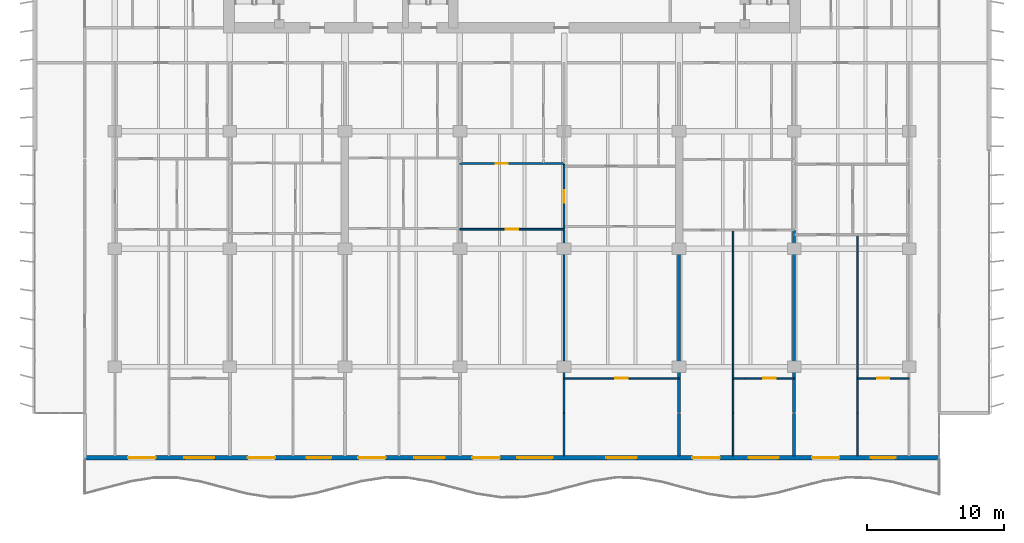
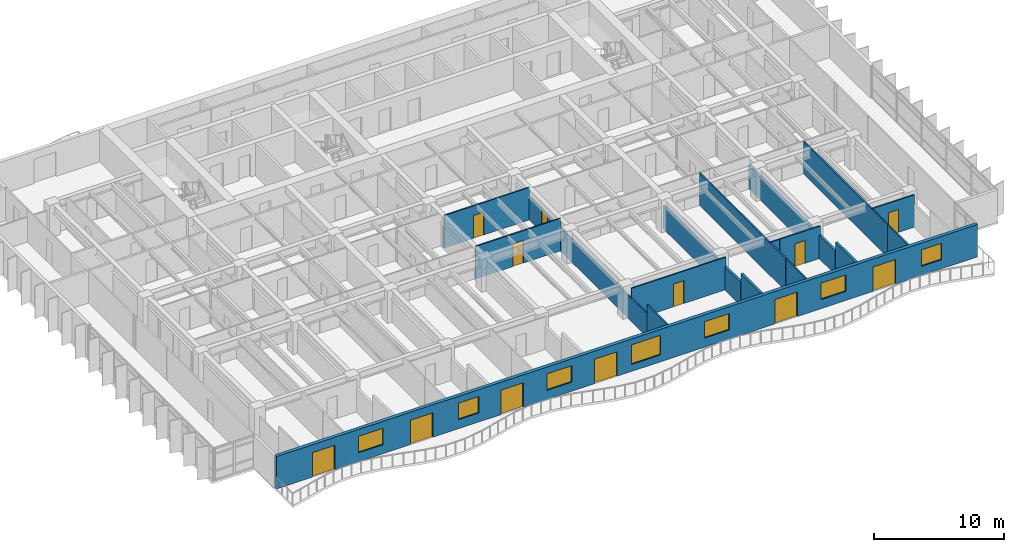
# One storey, part 8 of 17: 18 walls, 12 doors, 7 windows, 19 openings.
"""IFC4 building model written with IfcOpenShell, lengths in metres."""

import ifcopenshell
import ifcopenshell.guid

model = None  # the IFC model being written
_history = None  # IfcOwnerHistory: only IFC2X3 demands one
_inside = {}  # id of a spatial element -> (the spatial element, [elements in it])
_under = {}  # id of a project, library or spatial element -> (it, [spatial elements below it])
_declared = {}  # id of a project -> (the project, [libraries it declares])
_typed = {}  # id of a type object -> (the type object, [elements of that type])
_made_of = {}  # id of a material, layer set ... -> (it, [elements and type objects made of it])


def new_model(schema):
    """Start an empty IFC model of exactly this schema.

    Asked for "IFC4X3", IfcOpenShell would pick the latest addendum, in which some entities
    have other attributes; the version numbers below select the first issue.
    IFC2X3 requires an IfcOwnerHistory on every rooted entity: one is made here for all.
    """
    global model, _history
    if schema == "IFC4X3":
        model = ifcopenshell.file(schema_version=(4, 3, 0, 0))
    else:
        model = ifcopenshell.file(schema=schema)
    _inside.clear()
    _under.clear()
    _declared.clear()
    _typed.clear()
    _made_of.clear()
    _history = None
    if model.schema == "IFC2X3":
        org = make("IfcOrganization", Name="unknown")
        user = make(
            "IfcPersonAndOrganization",
            ThePerson=make("IfcPerson", FamilyName="unknown"),
            TheOrganization=org,
        )
        app = make(
            "IfcApplication",
            ApplicationDeveloper=org,
            Version="unknown",
            ApplicationFullName="unknown",
            ApplicationIdentifier="unknown",
        )
        _history = make(
            "IfcOwnerHistory",
            OwningUser=user,
            OwningApplication=app,
            ChangeAction="ADDED",
            CreationDate=0,
        )
    return model


def make(cls, **values):
    """One entity of the class cls with the attributes given. An attribute that is None is left unset."""
    return model.create_entity(
        cls, **{name: value for name, value in values.items() if value is not None}
    )


def rooted(cls, **values):
    """An entity with a GlobalId (a new one), such as an element, a storey or a relation."""
    return make(cls, GlobalId=ifcopenshell.guid.new(), OwnerHistory=_history, **values)


def si_unit(unit_type, name, prefix=None):
    """IfcSIUnit, for example si_unit("LENGTHUNIT", "METRE", prefix="MILLI")."""
    return make("IfcSIUnit", UnitType=unit_type, Prefix=prefix, Name=name)


def assignment(units):
    """IfcUnitAssignment: the units of a project."""
    return None if units is None else make("IfcUnitAssignment", Units=units)


def point(xyz):
    """IfcCartesianPoint."""
    return None if xyz is None else make("IfcCartesianPoint", Coordinates=xyz)


def direction(xyz):
    """IfcDirection."""
    return None if xyz is None else make("IfcDirection", DirectionRatios=xyz)


def frame(location, z_axis=None, x_axis=None):
    """IfcAxis2Placement3D, a coordinate frame: its origin and axes. An axis left out is left unset."""
    return make(
        "IfcAxis2Placement3D",
        Location=point(location),
        Axis=direction(z_axis),
        RefDirection=direction(x_axis),
    )


def frame_2d(location, x_axis=None):
    """IfcAxis2Placement2D, a coordinate frame in the plane: its origin and x axis."""
    return make(
        "IfcAxis2Placement2D", Location=point(location), RefDirection=direction(x_axis)
    )


def origin():
    """The frame at (0, 0, 0) with its axes left unset."""
    return frame((0.0, 0.0, 0.0))


def place(relative_to, where):
    """IfcLocalPlacement: puts the frame where relative to a parent placement (None: the world)."""
    return make(
        "IfcLocalPlacement", PlacementRelTo=relative_to, RelativePlacement=where
    )


def context(
    kind, dimensions, precision=None, world=None, true_north=None, identifier=None
):
    """IfcGeometricRepresentationContext, for example the 3D "Model" context."""
    return make(
        "IfcGeometricRepresentationContext",
        ContextIdentifier=identifier,
        ContextType=kind,
        CoordinateSpaceDimension=dimensions,
        Precision=precision,
        WorldCoordinateSystem=world,
        TrueNorth=true_north,
    )


def subcontext(parent, identifier, kind, view, scale=None):
    """IfcGeometricRepresentationSubContext, for example "Body" below "Model"."""
    return make(
        "IfcGeometricRepresentationSubContext",
        ContextIdentifier=identifier,
        ContextType=kind,
        ParentContext=parent,
        TargetScale=scale,
        TargetView=view,
    )


def project(units=None, contexts=None):
    """IfcProject with its units and contexts."""
    return rooted(
        "IfcProject",
        Name="project",
        RepresentationContexts=contexts,
        UnitsInContext=assignment(units),
    )


def spatial(cls, under=None, at=None, **own):
    """A site, building, storey or space (cls), placed at a placement, below another one or the project."""
    s = rooted(cls, ObjectPlacement=at, **own)
    if under is not None:
        _under.setdefault(under.id(), (under, []))[1].append(s)
    return s


def profile(cls, at=None, kind="AREA", **sizes):
    """A parametric profile (cls). Its sizes go by their IFC names, for example OverallWidth=200.0."""
    return make(cls, ProfileType=kind, Position=at, **sizes)


def rectangle(**sizes):
    """IfcRectangleProfileDef."""
    return profile("IfcRectangleProfileDef", **sizes)


def extrude(swept, where, along, depth):
    """IfcExtrudedAreaSolid: the profile swept, set in the frame where, extruded along a direction by depth."""
    return make(
        "IfcExtrudedAreaSolid",
        SweptArea=swept,
        Position=where,
        ExtrudedDirection=direction(along),
        Depth=depth,
    )


def shape(context_of_items, identifier, shape_type, items):
    """IfcShapeRepresentation: the items that make up one representation, for example the "Body"."""
    return make(
        "IfcShapeRepresentation",
        ContextOfItems=context_of_items,
        RepresentationIdentifier=identifier,
        RepresentationType=shape_type,
        Items=items,
    )


def material(Name=None, Category=None):
    """IfcMaterial."""
    return make("IfcMaterial", Name=Name, Category=Category)


def layer(
    of_material, thickness, ventilated=None, Name=None, Category=None, Priority=None
):
    """IfcMaterialLayer: one layer of a wall or slab, of a material (None: an air gap)."""
    return make(
        "IfcMaterialLayer",
        Material=of_material,
        LayerThickness=thickness,
        IsVentilated=ventilated,
        Name=Name,
        Category=Category,
        Priority=Priority,
    )


def layer_set(layers, Name=None):
    """IfcMaterialLayerSet."""
    return make("IfcMaterialLayerSet", MaterialLayers=layers, LayerSetName=Name)


def made_of(thing, what):
    """Note that an element or type object is made of a material, layer set ...; save() writes the relation."""
    if what is not None:
        _made_of.setdefault(what.id(), (what, []))[1].append(thing)
    return thing


def type_object(cls, material=None, **own):
    """A type object (cls), such as IfcWallType, which elements share."""
    return made_of(rooted(cls, **own), material)


def element(
    cls,
    number,
    at=None,
    inside=None,
    cuts=None,
    type_object=None,
    material=None,
    context=None,
    identifier="Body",
    shape_type=None,
    held_by="IfcProductDefinitionShape",
    body=None,
    shapes=None,
    **own,
):
    """One element of the class cls, such as IfcWall. Its Tag is "e" and its number.

    at: its placement. inside: the storey or other place that contains it. cuts: it is an
    opening in that element (IfcRelVoidsElement). A single representation is given by context,
    identifier, shape_type and body (its items); several are given by shapes. held_by: the class
    of the entity that holds the representations. save() writes the other relations.
    """
    e = rooted(cls, Tag="e%d" % number, ObjectPlacement=at, **own)
    if body is not None:
        shapes = [shape(context, identifier, shape_type, body)]
    if shapes is not None:
        e.Representation = make(held_by, Representations=shapes)
    if inside is not None:
        _inside.setdefault(inside.id(), (inside, []))[1].append(e)
    if cuts is not None:
        rooted(
            "IfcRelVoidsElement", RelatingBuildingElement=cuts, RelatedOpeningElement=e
        )
    if type_object is not None:
        _typed.setdefault(type_object.id(), (type_object, []))[1].append(e)
    return made_of(e, material)


def fill(opening, filler):
    """IfcRelFillsElement: the door or window that sits in an opening."""
    return rooted(
        "IfcRelFillsElement",
        RelatingOpeningElement=opening,
        RelatedBuildingElement=filler,
    )


def aggregate(whole, parts):
    """IfcRelAggregates: a whole, such as a stair, and the parts it consists of."""
    return rooted("IfcRelAggregates", RelatingObject=whole, RelatedObjects=parts)


def save(model, path):
    """Write the relations noted so far, then the file.

    IfcRelAggregates (storeys below a building ...), IfcRelContainedInSpatialStructure (elements
    in a storey), IfcRelDefinesByType, IfcRelAssociatesMaterial and IfcRelDeclares: one each for
    every whole, place, type object, material and project.
    """
    for whole, parts in _under.values():
        aggregate(whole, parts)
    for where, things in _inside.values():
        rooted(
            "IfcRelContainedInSpatialStructure",
            RelatedElements=things,
            RelatingStructure=where,
        )
    for kind, things in _typed.values():
        rooted("IfcRelDefinesByType", RelatedObjects=things, RelatingType=kind)
    for what, things in _made_of.values():
        rooted("IfcRelAssociatesMaterial", RelatedObjects=things, RelatingMaterial=what)
    for by, libraries in _declared.values():
        rooted("IfcRelDeclares", RelatingContext=by, RelatedDefinitions=libraries)
    model.write(path)


model = new_model("IFC4")

# Units and contexts
model_context = context("Model", 3, precision=1e-05, world=origin(), true_north=direction((0.0, 1.0)))
body_context = subcontext(model_context, "Body", "Model", "MODEL_VIEW")
ifc_project = project(units=[si_unit("LENGTHUNIT", "METRE"), si_unit("AREAUNIT", "SQUARE_METRE"), si_unit("VOLUMEUNIT", "CUBIC_METRE"), si_unit("PLANEANGLEUNIT", "RADIAN"), si_unit("MASSUNIT", "GRAM", prefix="KILO")], contexts=[model_context])

# Site, building, storey
site_placement = place(None, origin())
site = spatial("IfcSite", under=ifc_project, at=site_placement, CompositionType="ELEMENT")
building_placement = place(site_placement, origin())
building = spatial("IfcBuilding", under=site, at=building_placement, Name="Caelmar Bay Residences", CompositionType="ELEMENT")
storey_placement = place(building_placement, frame((0.0, 0.0, 87.89990234375)))
storey = spatial("IfcBuildingStorey", under=building, at=storey_placement, Name="L23", CompositionType="ELEMENT", Elevation=87.89990234375)

# Wall, openings, doors, windows
ifc_material_1 = material(Name="Precast concrete f'c 40 MPa (6,000 psi)", Category="concrete")
ifc_layer_1 = layer(ifc_material_1, 0.300048828125)
ifc_layer_set_1 = layer_set([ifc_layer_1], Name="Precast concrete f'c 40 MPa (6,000 psi)")
wall_type_1 = type_object("IfcWallType", Name="W-EXT-300", PredefinedType="STANDARD", material=ifc_layer_set_1)
wall_1_placement = place(storey_placement, frame((70.10009765625, 5.550048828125, 0.0), z_axis=(0.0, 0.0, 1.0), x_axis=(-1.0, 0.0, 0.0)))
wall_1 = element("IfcWall", 1, at=wall_1_placement, inside=storey, type_object=wall_type_1, Name="L23 South Bayfront Exterior Wall", PredefinedType="STANDARD", context=body_context, shape_type="SweptSolid", body=[
    extrude(rectangle(XDim=62.400146484375, YDim=0.300048828125, at=frame_2d((31.2001953125, 0.0))), origin(), (0.0, 0.0, 1.0), 3.050048828125),
])
opening_1_placement = place(wall_1_placement, frame((57.22607421875, 0.0, 0.0)))
opening_1 = element("IfcOpeningElement", 2, at=opening_1_placement, cuts=wall_1, Name="Opening L23-BD01", PredefinedType="OPENING", context=body_context, shape_type="SweptSolid", body=[
    extrude(rectangle(XDim=2.0, YDim=2.300048828125, at=frame_2d((1.0, 1.14990234375))), frame((0.0, 0.159912109375, 0.0), z_axis=(0.0, -1.0, 0.0), x_axis=(1.0, 0.0, 0.0)), (0.0, 0.0, 1.0), 0.320068359375),
])
opening_2_placement = place(wall_1_placement, frame((52.926025390625, 0.0, 0.85009765625)))
opening_2 = element("IfcOpeningElement", 3, at=opening_2_placement, cuts=wall_1, Name="Opening WN2", PredefinedType="OPENING", context=body_context, shape_type="SweptSolid", body=[
    extrude(rectangle(XDim=2.199951171875, YDim=1.550048828125, at=frame_2d((1.10009765625, 0.77490234375))), frame((0.0, 0.159912109375, 0.0), z_axis=(0.0, -1.0, 0.0), x_axis=(1.0, 0.0, 0.0)), (0.0, 0.0, 1.0), 0.320068359375),
])
opening_3_placement = place(wall_1_placement, frame((48.489990234375, 0.0, 0.0)))
opening_3 = element("IfcOpeningElement", 4, at=opening_3_placement, cuts=wall_1, Name="Opening L23-BD02", PredefinedType="OPENING", context=body_context, shape_type="SweptSolid", body=[
    extrude(rectangle(XDim=2.0, YDim=2.300048828125, at=frame_2d((1.0, 1.14990234375))), frame((0.0, 0.159912109375, 0.0), z_axis=(0.0, -1.0, 0.0), x_axis=(1.0, 0.0, 0.0)), (0.0, 0.0, 1.0), 0.320068359375),
])
opening_4_placement = place(wall_1_placement, frame((44.389892578125, 0.0, 0.85009765625)))
opening_4 = element("IfcOpeningElement", 5, at=opening_4_placement, cuts=wall_1, Name="Opening WN1", PredefinedType="OPENING", context=body_context, shape_type="SweptSolid", body=[
    extrude(rectangle(XDim=1.800048828125, YDim=1.550048828125, at=frame_2d((0.89990234375, 0.77490234375))), frame((0.0, 0.159912109375, 0.0), z_axis=(0.0, -1.0, 0.0), x_axis=(1.0, 0.0, 0.0)), (0.0, 0.0, 1.0), 0.320068359375),
])
opening_5_placement = place(wall_1_placement, frame((40.426025390625, 0.0, 0.0)))
opening_5 = element("IfcOpeningElement", 6, at=opening_5_placement, cuts=wall_1, Name="Opening L23-BD03", PredefinedType="OPENING", context=body_context, shape_type="SweptSolid", body=[
    extrude(rectangle(XDim=2.0, YDim=2.300048828125, at=frame_2d((1.0, 1.14990234375))), frame((0.0, 0.159912109375, 0.0), z_axis=(0.0, -1.0, 0.0), x_axis=(1.0, 0.0, 0.0)), (0.0, 0.0, 1.0), 0.320068359375),
])
opening_6_placement = place(wall_1_placement, frame((36.1259765625, 0.0, 0.85009765625)))
opening_6 = element("IfcOpeningElement", 7, at=opening_6_placement, cuts=wall_1, Name="Opening WN2", PredefinedType="OPENING", context=body_context, shape_type="SweptSolid", body=[
    extrude(rectangle(XDim=2.199951171875, YDim=1.550048828125, at=frame_2d((1.10009765625, 0.77490234375))), frame((0.0, 0.159912109375, 0.0), z_axis=(0.0, -1.0, 0.0), x_axis=(1.0, 0.0, 0.0)), (0.0, 0.0, 1.0), 0.320068359375),
])
opening_7_placement = place(wall_1_placement, frame((32.090087890625, 0.0, 0.0)))
opening_7 = element("IfcOpeningElement", 8, at=opening_7_placement, cuts=wall_1, Name="Opening L23-BD04", PredefinedType="OPENING", context=body_context, shape_type="SweptSolid", body=[
    extrude(rectangle(XDim=2.0, YDim=2.300048828125, at=frame_2d((1.0, 1.14990234375))), frame((0.0, 0.159912109375, 0.0), z_axis=(0.0, -1.0, 0.0), x_axis=(1.0, 0.0, 0.0)), (0.0, 0.0, 1.0), 0.320068359375),
])
opening_8_placement = place(wall_1_placement, frame((28.2099609375, 0.0, 0.64990234375)))
opening_8 = element("IfcOpeningElement", 9, at=opening_8_placement, cuts=wall_1, Name="Opening WN3", PredefinedType="OPENING", context=body_context, shape_type="SweptSolid", body=[
    extrude(rectangle(XDim=2.60009765625, YDim=1.85009765625, at=frame_2d((1.300048828125, 0.925048828125))), frame((0.0, 0.159912109375, 0.0), z_axis=(0.0, -1.0, 0.0), x_axis=(1.0, 0.0, 0.0)), (0.0, 0.0, 1.0), 0.320068359375),
])
opening_9_placement = place(wall_1_placement, frame((22.10009765625, 0.0, 0.85009765625)))
opening_9 = element("IfcOpeningElement", 10, at=opening_9_placement, cuts=wall_1, Name="Opening WN2", PredefinedType="OPENING", context=body_context, shape_type="SweptSolid", body=[
    extrude(rectangle(XDim=2.199951171875, YDim=1.550048828125, at=frame_2d((1.10009765625, 0.77490234375))), frame((0.0, 0.159912109375, 0.0), z_axis=(0.0, -1.0, 0.0), x_axis=(1.0, 0.0, 0.0)), (0.0, 0.0, 1.0), 0.320068359375),
])
opening_10_placement = place(wall_1_placement, frame((16.02587890625, 0.0, 0.0)))
opening_10 = element("IfcOpeningElement", 11, at=opening_10_placement, cuts=wall_1, Name="Opening L23-BD05", PredefinedType="OPENING", context=body_context, shape_type="SweptSolid", body=[
    extrude(rectangle(XDim=2.0, YDim=2.300048828125, at=frame_2d((1.0, 1.14990234375))), frame((0.0, 0.159912109375, 0.0), z_axis=(0.0, -1.0, 0.0), x_axis=(1.0, 0.0, 0.0)), (0.0, 0.0, 1.0), 0.320068359375),
])
opening_11_placement = place(wall_1_placement, frame((11.72607421875, 0.0, 0.85009765625)))
opening_11 = element("IfcOpeningElement", 12, at=opening_11_placement, cuts=wall_1, Name="Opening WN2", PredefinedType="OPENING", context=body_context, shape_type="SweptSolid", body=[
    extrude(rectangle(XDim=2.199951171875, YDim=1.550048828125, at=frame_2d((1.10009765625, 0.77490234375))), frame((0.0, 0.159912109375, 0.0), z_axis=(0.0, -1.0, 0.0), x_axis=(1.0, 0.0, 0.0)), (0.0, 0.0, 1.0), 0.320068359375),
])
opening_12_placement = place(wall_1_placement, frame((7.2900390625, 0.0, 0.0)))
opening_12 = element("IfcOpeningElement", 13, at=opening_12_placement, cuts=wall_1, Name="Opening L23-BD06", PredefinedType="OPENING", context=body_context, shape_type="SweptSolid", body=[
    extrude(rectangle(XDim=2.0, YDim=2.300048828125, at=frame_2d((1.0, 1.14990234375))), frame((0.0, 0.159912109375, 0.0), z_axis=(0.0, -1.0, 0.0), x_axis=(1.0, 0.0, 0.0)), (0.0, 0.0, 1.0), 0.320068359375),
])
opening_13_placement = place(wall_1_placement, frame((3.18994140625, 0.0, 0.85009765625)))
opening_13 = element("IfcOpeningElement", 14, at=opening_13_placement, cuts=wall_1, Name="Opening WN1", PredefinedType="OPENING", context=body_context, shape_type="SweptSolid", body=[
    extrude(rectangle(XDim=1.800048828125, YDim=1.550048828125, at=frame_2d((0.89990234375, 0.77490234375))), frame((0.0, 0.159912109375, 0.0), z_axis=(0.0, -1.0, 0.0), x_axis=(1.0, 0.0, 0.0)), (0.0, 0.0, 1.0), 0.320068359375),
])
ifc_material_2 = material(Name="Anodised bronze thermally broken sliding glass door", Category="glass")
ifc_layer_2 = layer(ifc_material_2, 0.050048828125)
ifc_layer_set_2 = layer_set([ifc_layer_2], Name="Anodised bronze thermally broken sliding glass door")
door_type_1 = type_object("IfcDoorType", Name="D-BAL-2000", OperationType="DOUBLE_DOOR_SLIDING", PredefinedType="DOOR", material=ifc_layer_set_2)
door_1_placement = place(opening_1_placement, origin())
door_1 = element("IfcDoor", 15, at=door_1_placement, inside=storey, type_object=door_type_1, Name="L23 Residence 01 Living Room Balcony Door", OperationType="DOUBLE_DOOR_SLIDING", OverallHeight=2.300048828125, OverallWidth=2.0, PredefinedType="DOOR", context=body_context, shape_type="SweptSolid", body=[
    extrude(rectangle(XDim=2.0, YDim=2.300048828125, at=frame_2d((1.0, 1.14990234375))), frame((0.0, 0.02490234375, 0.0), z_axis=(0.0, -1.0, 0.0), x_axis=(1.0, 0.0, 0.0)), (0.0, 0.0, 1.0), 0.050048828125),
])
fill(opening_1, door_1)
door_2_placement = place(opening_3_placement, origin())
door_2 = element("IfcDoor", 16, at=door_2_placement, inside=storey, type_object=door_type_1, Name="L23 Residence 02 Living Room Balcony Door", OperationType="DOUBLE_DOOR_SLIDING", OverallHeight=2.300048828125, OverallWidth=2.0, PredefinedType="DOOR", context=body_context, shape_type="SweptSolid", body=[
    extrude(rectangle(XDim=2.0, YDim=2.300048828125, at=frame_2d((1.0, 1.14990234375))), frame((0.0, 0.02490234375, 0.0), z_axis=(0.0, -1.0, 0.0), x_axis=(1.0, 0.0, 0.0)), (0.0, 0.0, 1.0), 0.050048828125),
])
fill(opening_3, door_2)
door_3_placement = place(opening_5_placement, origin())
door_3 = element("IfcDoor", 17, at=door_3_placement, inside=storey, type_object=door_type_1, Name="L23 Residence 03 Living Room Balcony Door", OperationType="DOUBLE_DOOR_SLIDING", OverallHeight=2.300048828125, OverallWidth=2.0, PredefinedType="DOOR", context=body_context, shape_type="SweptSolid", body=[
    extrude(rectangle(XDim=2.0, YDim=2.300048828125, at=frame_2d((1.0, 1.14990234375))), frame((0.0, 0.02490234375, 0.0), z_axis=(0.0, -1.0, 0.0), x_axis=(1.0, 0.0, 0.0)), (0.0, 0.0, 1.0), 0.050048828125),
])
fill(opening_5, door_3)
door_4_placement = place(opening_7_placement, origin())
door_4 = element("IfcDoor", 18, at=door_4_placement, inside=storey, type_object=door_type_1, Name="L23 Residence 04 Penthouse Living Salon Balcony Door", OperationType="DOUBLE_DOOR_SLIDING", OverallHeight=2.300048828125, OverallWidth=2.0, PredefinedType="DOOR", context=body_context, shape_type="SweptSolid", body=[
    extrude(rectangle(XDim=2.0, YDim=2.300048828125, at=frame_2d((1.0, 1.14990234375))), frame((0.0, 0.02490234375, 0.0), z_axis=(0.0, -1.0, 0.0), x_axis=(1.0, 0.0, 0.0)), (0.0, 0.0, 1.0), 0.050048828125),
])
fill(opening_7, door_4)
door_5_placement = place(opening_10_placement, origin())
door_5 = element("IfcDoor", 19, at=door_5_placement, inside=storey, type_object=door_type_1, Name="L23 Residence 05 Living Room Balcony Door", OperationType="DOUBLE_DOOR_SLIDING", OverallHeight=2.300048828125, OverallWidth=2.0, PredefinedType="DOOR", context=body_context, shape_type="SweptSolid", body=[
    extrude(rectangle(XDim=2.0, YDim=2.300048828125, at=frame_2d((1.0, 1.14990234375))), frame((0.0, 0.02490234375, 0.0), z_axis=(0.0, -1.0, 0.0), x_axis=(1.0, 0.0, 0.0)), (0.0, 0.0, 1.0), 0.050048828125),
])
fill(opening_10, door_5)
door_6_placement = place(opening_12_placement, origin())
door_6 = element("IfcDoor", 20, at=door_6_placement, inside=storey, type_object=door_type_1, Name="L23 Residence 06 Living Room Balcony Door", OperationType="DOUBLE_DOOR_SLIDING", OverallHeight=2.300048828125, OverallWidth=2.0, PredefinedType="DOOR", context=body_context, shape_type="SweptSolid", body=[
    extrude(rectangle(XDim=2.0, YDim=2.300048828125, at=frame_2d((1.0, 1.14990234375))), frame((0.0, 0.02490234375, 0.0), z_axis=(0.0, -1.0, 0.0), x_axis=(1.0, 0.0, 0.0)), (0.0, 0.0, 1.0), 0.050048828125),
])
fill(opening_12, door_6)
ifc_material_3 = material(Name="Bronze aluminium frame with laminated low-E glass", Category="aluminium")
ifc_layer_3 = layer(ifc_material_3, 0.06005859375)
ifc_layer_set_3 = layer_set([ifc_layer_3], Name="Bronze aluminium frame with laminated low-E glass")
window_type_1 = type_object("IfcWindowType", Name="WIN-BR-1800", PartitioningType="SINGLE_PANEL", PredefinedType="WINDOW", material=ifc_layer_set_3)
window_1_placement = place(opening_4_placement, origin())
window_1 = element("IfcWindow", 21, at=window_1_placement, inside=storey, type_object=window_type_1, Name="L23 Residence 02 Primary Bedroom Window", OverallHeight=1.550048828125, OverallWidth=1.800048828125, PartitioningType="SINGLE_PANEL", PredefinedType="WINDOW", context=body_context, shape_type="SweptSolid", body=[
    extrude(rectangle(XDim=1.800048828125, YDim=1.550048828125, at=frame_2d((0.89990234375, 0.77490234375))), frame((0.0, 0.030029296875, 0.0), z_axis=(0.0, -1.0, 0.0), x_axis=(1.0, 0.0, 0.0)), (0.0, 0.0, 1.0), 0.06005859375),
])
fill(opening_4, window_1)
window_2_placement = place(opening_13_placement, origin())
window_2 = element("IfcWindow", 22, at=window_2_placement, inside=storey, type_object=window_type_1, Name="L23 Residence 06 Primary Bedroom Window", OverallHeight=1.550048828125, OverallWidth=1.800048828125, PartitioningType="SINGLE_PANEL", PredefinedType="WINDOW", context=body_context, shape_type="SweptSolid", body=[
    extrude(rectangle(XDim=1.800048828125, YDim=1.550048828125, at=frame_2d((0.89990234375, 0.77490234375))), frame((0.0, 0.030029296875, 0.0), z_axis=(0.0, -1.0, 0.0), x_axis=(1.0, 0.0, 0.0)), (0.0, 0.0, 1.0), 0.06005859375),
])
fill(opening_13, window_2)
ifc_layer_4 = layer(ifc_material_3, 0.06005859375)
ifc_layer_set_4 = layer_set([ifc_layer_4], Name="Bronze aluminium frame with laminated low-E glass")
window_type_2 = type_object("IfcWindowType", Name="WIN-BR-2200", PartitioningType="SINGLE_PANEL", PredefinedType="WINDOW", material=ifc_layer_set_4)
window_3_placement = place(opening_2_placement, origin())
window_3 = element("IfcWindow", 23, at=window_3_placement, inside=storey, type_object=window_type_2, Name="L23 Residence 01 Primary Bedroom Window", OverallHeight=1.550048828125, OverallWidth=2.199951171875, PartitioningType="SINGLE_PANEL", PredefinedType="WINDOW", context=body_context, shape_type="SweptSolid", body=[
    extrude(rectangle(XDim=2.199951171875, YDim=1.550048828125, at=frame_2d((1.10009765625, 0.77490234375))), frame((0.0, 0.030029296875, 0.0), z_axis=(0.0, -1.0, 0.0), x_axis=(1.0, 0.0, 0.0)), (0.0, 0.0, 1.0), 0.06005859375),
])
fill(opening_2, window_3)
window_4_placement = place(opening_6_placement, origin())
window_4 = element("IfcWindow", 24, at=window_4_placement, inside=storey, type_object=window_type_2, Name="L23 Residence 03 Primary Bedroom Window", OverallHeight=1.550048828125, OverallWidth=2.199951171875, PartitioningType="SINGLE_PANEL", PredefinedType="WINDOW", context=body_context, shape_type="SweptSolid", body=[
    extrude(rectangle(XDim=2.199951171875, YDim=1.550048828125, at=frame_2d((1.10009765625, 0.77490234375))), frame((0.0, 0.030029296875, 0.0), z_axis=(0.0, -1.0, 0.0), x_axis=(1.0, 0.0, 0.0)), (0.0, 0.0, 1.0), 0.06005859375),
])
fill(opening_6, window_4)
window_5_placement = place(opening_9_placement, origin())
window_5 = element("IfcWindow", 25, at=window_5_placement, inside=storey, type_object=window_type_2, Name="L23 Residence 04 Primary Bedroom 1 Window", OverallHeight=1.550048828125, OverallWidth=2.199951171875, PartitioningType="SINGLE_PANEL", PredefinedType="WINDOW", context=body_context, shape_type="SweptSolid", body=[
    extrude(rectangle(XDim=2.199951171875, YDim=1.550048828125, at=frame_2d((1.10009765625, 0.77490234375))), frame((0.0, 0.030029296875, 0.0), z_axis=(0.0, -1.0, 0.0), x_axis=(1.0, 0.0, 0.0)), (0.0, 0.0, 1.0), 0.06005859375),
])
fill(opening_9, window_5)
window_6_placement = place(opening_11_placement, origin())
window_6 = element("IfcWindow", 26, at=window_6_placement, inside=storey, type_object=window_type_2, Name="L23 Residence 05 Primary Bedroom Window", OverallHeight=1.550048828125, OverallWidth=2.199951171875, PartitioningType="SINGLE_PANEL", PredefinedType="WINDOW", context=body_context, shape_type="SweptSolid", body=[
    extrude(rectangle(XDim=2.199951171875, YDim=1.550048828125, at=frame_2d((1.10009765625, 0.77490234375))), frame((0.0, 0.030029296875, 0.0), z_axis=(0.0, -1.0, 0.0), x_axis=(1.0, 0.0, 0.0)), (0.0, 0.0, 1.0), 0.06005859375),
])
fill(opening_11, window_6)
ifc_layer_5 = layer(ifc_material_3, 0.06005859375)
ifc_layer_set_5 = layer_set([ifc_layer_5], Name="Bronze aluminium frame with laminated low-E glass")
window_type_3 = type_object("IfcWindowType", Name="WIN-LIV-2600", PartitioningType="SINGLE_PANEL", PredefinedType="WINDOW", material=ifc_layer_set_5)
window_7_placement = place(opening_8_placement, origin())
window_7 = element("IfcWindow", 27, at=window_7_placement, inside=storey, type_object=window_type_3, Name="L23 Residence 04 Penthouse Living Salon Panoramic Window", OverallHeight=1.85009765625, OverallWidth=2.60009765625, PartitioningType="SINGLE_PANEL", PredefinedType="WINDOW", context=body_context, shape_type="SweptSolid", body=[
    extrude(rectangle(XDim=2.60009765625, YDim=1.85009765625, at=frame_2d((1.300048828125, 0.925048828125))), frame((0.0, 0.030029296875, 0.0), z_axis=(0.0, -1.0, 0.0), x_axis=(1.0, 0.0, 0.0)), (0.0, 0.0, 1.0), 0.06005859375),
])
fill(opening_8, window_7)

# Walls
ifc_material_4 = material(Name="Acoustic metal-stud gypsum partition 120 mm")
ifc_layer_6 = layer(ifc_material_4, 0.1201171875)
ifc_layer_set_6 = layer_set([ifc_layer_6], Name="Acoustic metal-stud gypsum partition 120 mm")
wall_type_2 = type_object("IfcWallType", Name="W-PRT-120", PredefinedType="PARTITIONING", material=ifc_layer_set_6)
wall_2_placement = place(storey_placement, frame((42.699951171875, 5.695068359375, 0.0), z_axis=(0.0, 0.0, 1.0), x_axis=(0.0, 1.0, 0.0)))
element("IfcWall", 28, at=wall_2_placement, inside=storey, type_object=wall_type_2, Name="L23 Partition Wall V055", PredefinedType="PARTITIONING", context=body_context, shape_type="SweptSolid", body=[
    extrude(rectangle(XDim=3.10498046875, YDim=0.1201171875, at=frame_2d((1.552490234375, 0.0))), origin(), (0.0, 0.0, 1.0), 3.050048828125),
])
wall_3_placement = place(storey_placement, frame((42.699951171875, 8.840087890625, 0.0), z_axis=(0.0, 0.0, 1.0), x_axis=(0.0, 1.0, 0.0)))
element("IfcWall", 29, at=wall_3_placement, inside=storey, type_object=wall_type_2, Name="L23 Partition Wall V056", PredefinedType="PARTITIONING", context=body_context, shape_type="SweptSolid", body=[
    extrude(rectangle(XDim=13.329833984375, YDim=0.1201171875, at=frame_2d((6.6650390625, 0.0))), origin(), (0.0, 0.0, 1.0), 2.174072265625),
])

# Wall, opening, door
wall_4_placement = place(storey_placement, frame((42.699951171875, 22.2900390625, 0.0), z_axis=(0.0, 0.0, 1.0), x_axis=(0.0, 1.0, 0.0)))
wall_4 = element("IfcWall", 30, at=wall_4_placement, inside=storey, type_object=wall_type_2, Name="L23 Partition Wall V057", PredefinedType="PARTITIONING", context=body_context, shape_type="SweptSolid", body=[
    extrude(rectangle(XDim=4.68994140625, YDim=0.1201171875, at=frame_2d((2.344970703125, 0.0))), origin(), (0.0, 0.0, 1.0), 2.174072265625),
])
opening_14_placement = place(wall_4_placement, frame((1.89990234375, 0.0, 0.0)))
opening_14 = element("IfcOpeningElement", 31, at=opening_14_placement, cuts=wall_4, Name="Opening D-L23-149", PredefinedType="OPENING", context=body_context, shape_type="SweptSolid", body=[
    extrude(rectangle(XDim=0.89990234375, YDim=2.1240234375, at=frame_2d((0.449951171875, 1.06201171875))), frame((0.0, 0.070068359375, 0.0), z_axis=(0.0, -1.0, 0.0), x_axis=(1.0, 0.0, 0.0)), (0.0, 0.0, 1.0), 0.14013671875),
])
ifc_material_5 = material(Name="Solid walnut timber interior door leaf and frame", Category="wood")
ifc_layer_7 = layer(ifc_material_5, 0.050048828125)
ifc_layer_set_7 = layer_set([ifc_layer_7], Name="Solid walnut timber interior door leaf and frame")
door_type_2 = type_object("IfcDoorType", Name="D-ROOM-900", OperationType="NOTDEFINED", PredefinedType="DOOR", material=ifc_layer_set_7)
door_7_placement = place(opening_14_placement, origin())
door_7 = element("IfcDoor", 32, at=door_7_placement, inside=storey, type_object=door_type_2, Name="L23 Residence 04 Family Room 1 Door", OperationType="SINGLE_SWING_LEFT", OverallHeight=2.1240234375, OverallWidth=0.89990234375, PredefinedType="DOOR", context=body_context, shape_type="SweptSolid", body=[
    extrude(rectangle(XDim=0.89990234375, YDim=2.1240234375, at=frame_2d((0.449951171875, 1.06201171875))), frame((0.0, 0.02490234375, 0.0), z_axis=(0.0, -1.0, 0.0), x_axis=(1.0, 0.0, 0.0)), (0.0, 0.0, 1.0), 0.050048828125),
])
fill(opening_14, door_7)

# Walls
wall_5_placement = place(storey_placement, frame((55.048095703125, 5.695068359375, 0.0), z_axis=(0.0, 0.0, 1.0), x_axis=(0.0, 1.0, 0.0)))
element("IfcWall", 33, at=wall_5_placement, inside=storey, type_object=wall_type_2, Name="L23 Partition Wall V074", PredefinedType="PARTITIONING", context=body_context, shape_type="SweptSolid", body=[
    extrude(rectangle(XDim=3.10498046875, YDim=0.1201171875, at=frame_2d((1.552490234375, 0.0))), origin(), (0.0, 0.0, 1.0), 3.050048828125),
])
wall_6_placement = place(storey_placement, frame((55.048095703125, 8.840087890625, 0.0), z_axis=(0.0, 0.0, 1.0), x_axis=(0.0, 1.0, 0.0)))
element("IfcWall", 34, at=wall_6_placement, inside=storey, type_object=wall_type_2, Name="L23 Partition Wall V075", PredefinedType="PARTITIONING", context=body_context, shape_type="SweptSolid", body=[
    extrude(rectangle(XDim=13.329833984375, YDim=0.1201171875, at=frame_2d((6.6650390625, 0.0))), origin(), (0.0, 0.0, 1.0), 3.050048828125),
])
wall_7_placement = place(storey_placement, frame((64.1201171875, 5.695068359375, 0.0), z_axis=(0.0, 0.0, 1.0), x_axis=(0.0, 1.0, 0.0)))
element("IfcWall", 35, at=wall_7_placement, inside=storey, type_object=wall_type_2, Name="L23 Partition Wall V088", PredefinedType="PARTITIONING", context=body_context, shape_type="SweptSolid", body=[
    extrude(rectangle(XDim=3.10498046875, YDim=0.1201171875, at=frame_2d((1.552490234375, 0.0))), origin(), (0.0, 0.0, 1.0), 3.050048828125),
])
wall_8_placement = place(storey_placement, frame((64.1201171875, 8.840087890625, 0.0), z_axis=(0.0, 0.0, 1.0), x_axis=(0.0, 1.0, 0.0)))
element("IfcWall", 36, at=wall_8_placement, inside=storey, type_object=wall_type_2, Name="L23 Partition Wall V089", PredefinedType="PARTITIONING", context=body_context, shape_type="SweptSolid", body=[
    extrude(rectangle(XDim=12.989990234375, YDim=0.1201171875, at=frame_2d((6.4951171875, 0.0))), origin(), (0.0, 0.0, 1.0), 3.050048828125),
])

# Wall, opening, door
wall_9_placement = place(storey_placement, frame((42.699951171875, 11.35009765625, 0.0), z_axis=(0.0, 0.0, 1.0), x_axis=(1.0, 0.0, 0.0)))
wall_9 = element("IfcWall", 37, at=wall_9_placement, inside=storey, type_object=wall_type_2, Name="L23 Partition Wall H109", PredefinedType="PARTITIONING", context=body_context, shape_type="SweptSolid", body=[
    extrude(rectangle(XDim=8.400146484375, YDim=0.1201171875, at=frame_2d((4.2001953125, 0.0))), origin(), (0.0, 0.0, 1.0), 3.050048828125),
])
opening_15_placement = place(wall_9_placement, frame((3.75, 0.0, 0.0)))
opening_15 = element("IfcOpeningElement", 38, at=opening_15_placement, cuts=wall_9, Name="Opening D-L23-153", PredefinedType="OPENING", context=body_context, shape_type="SweptSolid", body=[
    extrude(rectangle(XDim=0.89990234375, YDim=2.14990234375, at=frame_2d((0.449951171875, 1.074951171875))), frame((0.0, 0.070068359375, 0.0), z_axis=(0.0, -1.0, 0.0), x_axis=(1.0, 0.0, 0.0)), (0.0, 0.0, 1.0), 0.14013671875),
])
door_8_placement = place(opening_15_placement, origin())
door_8 = element("IfcDoor", 39, at=door_8_placement, inside=storey, type_object=door_type_2, Name="L23 Residence 04 Primary Bedroom 1 Door", OperationType="SINGLE_SWING_LEFT", OverallHeight=2.14990234375, OverallWidth=0.89990234375, PredefinedType="DOOR", context=body_context, shape_type="SweptSolid", body=[
    extrude(rectangle(XDim=0.89990234375, YDim=2.14990234375, at=frame_2d((0.449951171875, 1.074951171875))), frame((0.0, 0.02490234375, 0.0), z_axis=(0.0, -1.0, 0.0), x_axis=(1.0, 0.0, 0.0)), (0.0, 0.0, 1.0), 0.050048828125),
])
fill(opening_15, door_8)

# Wall
wall_10_placement = place(storey_placement, frame((55.048095703125, 11.35009765625, 0.0), z_axis=(0.0, 0.0, 1.0), x_axis=(1.0, 0.0, 0.0)))
element("IfcWall", 40, at=wall_10_placement, inside=storey, type_object=wall_type_2, Name="L23 Partition Wall H110", PredefinedType="PARTITIONING", context=body_context, shape_type="SweptSolid", body=[
    extrude(rectangle(XDim=0.837890625, YDim=0.1201171875, at=frame_2d((0.4189453125, 0.0))), origin(), (0.0, 0.0, 1.0), 3.050048828125),
])

# Wall, opening, door
wall_11_placement = place(storey_placement, frame((55.89990234375, 11.35009765625, 0.0), z_axis=(0.0, 0.0, 1.0), x_axis=(1.0, 0.0, 0.0)))
wall_11 = element("IfcWall", 41, at=wall_11_placement, inside=storey, type_object=wall_type_2, Name="L23 Partition Wall H111", PredefinedType="PARTITIONING", context=body_context, shape_type="SweptSolid", body=[
    extrude(rectangle(XDim=3.60009765625, YDim=0.1201171875, at=frame_2d((1.800048828125, 0.0))), origin(), (0.0, 0.0, 1.0), 3.050048828125),
])
opening_16_placement = place(wall_11_placement, frame((1.35009765625, 0.0, 0.0)))
opening_16 = element("IfcOpeningElement", 42, at=opening_16_placement, cuts=wall_11, Name="Opening D-L23-160", PredefinedType="OPENING", context=body_context, shape_type="SweptSolid", body=[
    extrude(rectangle(XDim=0.89990234375, YDim=2.14990234375, at=frame_2d((0.449951171875, 1.074951171875))), frame((0.0, 0.070068359375, 0.0), z_axis=(0.0, -1.0, 0.0), x_axis=(1.0, 0.0, 0.0)), (0.0, 0.0, 1.0), 0.14013671875),
])
door_9_placement = place(opening_16_placement, origin())
door_9 = element("IfcDoor", 43, at=door_9_placement, inside=storey, type_object=door_type_2, Name="L23 Residence 05 Primary Bedroom Door", OperationType="SINGLE_SWING_RIGHT", OverallHeight=2.14990234375, OverallWidth=0.89990234375, PredefinedType="DOOR", context=body_context, shape_type="SweptSolid", body=[
    extrude(rectangle(XDim=0.89990234375, YDim=2.14990234375, at=frame_2d((0.449951171875, 1.074951171875))), frame((0.0, 0.02490234375, 0.0), z_axis=(0.0, -1.0, 0.0), x_axis=(1.0, 0.0, 0.0)), (0.0, 0.0, 1.0), 0.050048828125),
])
fill(opening_16, door_9)

wall_12_placement = place(storey_placement, frame((64.1201171875, 11.35009765625, 0.0), z_axis=(0.0, 0.0, 1.0), x_axis=(1.0, 0.0, 0.0)))
wall_12 = element("IfcWall", 44, at=wall_12_placement, inside=storey, type_object=wall_type_2, Name="L23 Partition Wall H112", PredefinedType="PARTITIONING", context=body_context, shape_type="SweptSolid", body=[
    extrude(rectangle(XDim=3.77978515625, YDim=0.1201171875, at=frame_2d((1.889892578125, 0.0))), origin(), (0.0, 0.0, 1.0), 3.050048828125),
])
opening_17_placement = place(wall_12_placement, frame((1.43994140625, 0.0, 0.0)))
opening_17 = element("IfcOpeningElement", 45, at=opening_17_placement, cuts=wall_12, Name="Opening D-L23-167", PredefinedType="OPENING", context=body_context, shape_type="SweptSolid", body=[
    extrude(rectangle(XDim=0.89990234375, YDim=2.14990234375, at=frame_2d((0.449951171875, 1.074951171875))), frame((0.0, 0.070068359375, 0.0), z_axis=(0.0, -1.0, 0.0), x_axis=(1.0, 0.0, 0.0)), (0.0, 0.0, 1.0), 0.14013671875),
])
door_10_placement = place(opening_17_placement, origin())
door_10 = element("IfcDoor", 46, at=door_10_placement, inside=storey, type_object=door_type_2, Name="L23 Residence 06 Primary Bedroom Door", OperationType="SINGLE_SWING_LEFT", OverallHeight=2.14990234375, OverallWidth=0.89990234375, PredefinedType="DOOR", context=body_context, shape_type="SweptSolid", body=[
    extrude(rectangle(XDim=0.89990234375, YDim=2.14990234375, at=frame_2d((0.449951171875, 1.074951171875))), frame((0.0, 0.02490234375, 0.0), z_axis=(0.0, -1.0, 0.0), x_axis=(1.0, 0.0, 0.0)), (0.0, 0.0, 1.0), 0.050048828125),
])
fill(opening_17, door_10)

wall_13_placement = place(storey_placement, frame((35.10009765625, 22.239990234375, 0.0), z_axis=(0.0, 0.0, 1.0), x_axis=(1.0, 0.0, 0.0)))
wall_13 = element("IfcWall", 47, at=wall_13_placement, inside=storey, type_object=wall_type_2, Name="L23 Partition Wall H118", PredefinedType="PARTITIONING", context=body_context, shape_type="SweptSolid", body=[
    extrude(rectangle(XDim=7.599853515625, YDim=0.1201171875, at=frame_2d((3.7998046875, 0.0))), origin(), (0.0, 0.0, 1.0), 3.050048828125),
])
opening_18_placement = place(wall_13_placement, frame((3.35009765625, 0.0, 0.0)))
opening_18 = element("IfcOpeningElement", 48, at=opening_18_placement, cuts=wall_13, Name="Opening D-L23-148", PredefinedType="OPENING", context=body_context, shape_type="SweptSolid", body=[
    extrude(rectangle(XDim=0.89990234375, YDim=2.14990234375, at=frame_2d((0.449951171875, 1.074951171875))), frame((0.0, 0.070068359375, 0.0), z_axis=(0.0, -1.0, 0.0), x_axis=(1.0, 0.0, 0.0)), (0.0, 0.0, 1.0), 0.14013671875),
])
door_11_placement = place(opening_18_placement, origin())
door_11 = element("IfcDoor", 49, at=door_11_placement, inside=storey, type_object=door_type_2, Name="L23 Residence 04 Penthouse Living Salon Door", OperationType="SINGLE_SWING_RIGHT", OverallHeight=2.14990234375, OverallWidth=0.89990234375, PredefinedType="DOOR", context=body_context, shape_type="SweptSolid", body=[
    extrude(rectangle(XDim=0.89990234375, YDim=2.14990234375, at=frame_2d((0.449951171875, 1.074951171875))), frame((0.0, 0.02490234375, 0.0), z_axis=(0.0, -1.0, 0.0), x_axis=(1.0, 0.0, 0.0)), (0.0, 0.0, 1.0), 0.050048828125),
])
fill(opening_18, door_11)

wall_14_placement = place(storey_placement, frame((35.10009765625, 27.0400390625, 0.0), z_axis=(0.0, 0.0, 1.0), x_axis=(1.0, 0.0, 0.0)))
wall_14 = element("IfcWall", 50, at=wall_14_placement, inside=storey, type_object=wall_type_2, Name="L23 Partition Wall H123", PredefinedType="PARTITIONING", context=body_context, shape_type="SweptSolid", body=[
    extrude(rectangle(XDim=7.594970703125, YDim=0.1201171875, at=frame_2d((3.79736328125, 0.0))), origin(), (0.0, 0.0, 1.0), 3.050048828125),
])
opening_19_placement = place(wall_14_placement, frame((2.60009765625, 0.0, 0.0)))
opening_19 = element("IfcOpeningElement", 51, at=opening_19_placement, cuts=wall_14, Name="Opening D-L23-147", PredefinedType="OPENING", context=body_context, shape_type="SweptSolid", body=[
    extrude(rectangle(XDim=0.89990234375, YDim=2.14990234375, at=frame_2d((0.449951171875, 1.074951171875))), frame((0.0, 0.070068359375, 0.0), z_axis=(0.0, -1.0, 0.0), x_axis=(1.0, 0.0, 0.0)), (0.0, 0.0, 1.0), 0.14013671875),
])
door_12_placement = place(opening_19_placement, origin())
door_12 = element("IfcDoor", 52, at=door_12_placement, inside=storey, type_object=door_type_2, Name="L23 Residence 04 Kitchen Door", OperationType="SINGLE_SWING_LEFT", OverallHeight=2.14990234375, OverallWidth=0.89990234375, PredefinedType="DOOR", context=body_context, shape_type="SweptSolid", body=[
    extrude(rectangle(XDim=0.89990234375, YDim=2.14990234375, at=frame_2d((0.449951171875, 1.074951171875))), frame((0.0, 0.02490234375, 0.0), z_axis=(0.0, -1.0, 0.0), x_axis=(1.0, 0.0, 0.0)), (0.0, 0.0, 1.0), 0.050048828125),
])
fill(opening_19, door_12)

# Walls
ifc_material_6 = material(Name="Acoustic twin-stud fire-rated inter-tenancy partition 200 mm")
ifc_layer_8 = layer(ifc_material_6, 0.199951171875)
ifc_layer_set_8 = layer_set([ifc_layer_8], Name="Acoustic twin-stud fire-rated inter-tenancy partition 200 mm")
wall_type_3 = type_object("IfcWallType", Name="W-PTY-200", PredefinedType="PARTITIONING", material=ifc_layer_set_8)
wall_15_placement = place(storey_placement, frame((51.10009765625, 5.695068359375, 0.0), z_axis=(0.0, 0.0, 1.0), x_axis=(0.0, 1.0, 0.0)))
element("IfcWall", 53, at=wall_15_placement, inside=storey, type_object=wall_type_3, Name="L23 Partition Wall V069", PredefinedType="PARTITIONING", context=body_context, shape_type="SweptSolid", body=[
    extrude(rectangle(XDim=3.10498046875, YDim=0.199951171875, at=frame_2d((1.552490234375, 0.0))), origin(), (0.0, 0.0, 1.0), 3.050048828125),
])
wall_16_placement = place(storey_placement, frame((51.10009765625, 8.840087890625, 0.0), z_axis=(0.0, 0.0, 1.0), x_axis=(0.0, 1.0, 0.0)))
element("IfcWall", 54, at=wall_16_placement, inside=storey, type_object=wall_type_3, Name="L23 Partition Wall V070", PredefinedType="PARTITIONING", context=body_context, shape_type="SweptSolid", body=[
    extrude(rectangle(XDim=11.954833984375, YDim=0.199951171875, at=frame_2d((5.9775390625, 0.0))), origin(), (0.0, 0.0, 1.0), 2.174072265625),
])
wall_17_placement = place(storey_placement, frame((59.5, 5.695068359375, 0.0), z_axis=(0.0, 0.0, 1.0), x_axis=(0.0, 1.0, 0.0)))
element("IfcWall", 55, at=wall_17_placement, inside=storey, type_object=wall_type_3, Name="L23 Partition Wall V080", PredefinedType="PARTITIONING", context=body_context, shape_type="SweptSolid", body=[
    extrude(rectangle(XDim=3.10498046875, YDim=0.199951171875, at=frame_2d((1.552490234375, 0.0))), origin(), (0.0, 0.0, 1.0), 3.050048828125),
])
wall_18_placement = place(storey_placement, frame((59.5, 8.840087890625, 0.0), z_axis=(0.0, 0.0, 1.0), x_axis=(0.0, 1.0, 0.0)))
element("IfcWall", 56, at=wall_18_placement, inside=storey, type_object=wall_type_3, Name="L23 Partition Wall V081", PredefinedType="PARTITIONING", context=body_context, shape_type="SweptSolid", body=[
    extrude(rectangle(XDim=13.329833984375, YDim=0.199951171875, at=frame_2d((6.6650390625, 0.0))), origin(), (0.0, 0.0, 1.0), 2.174072265625),
])

save(model, "model.ifc")
